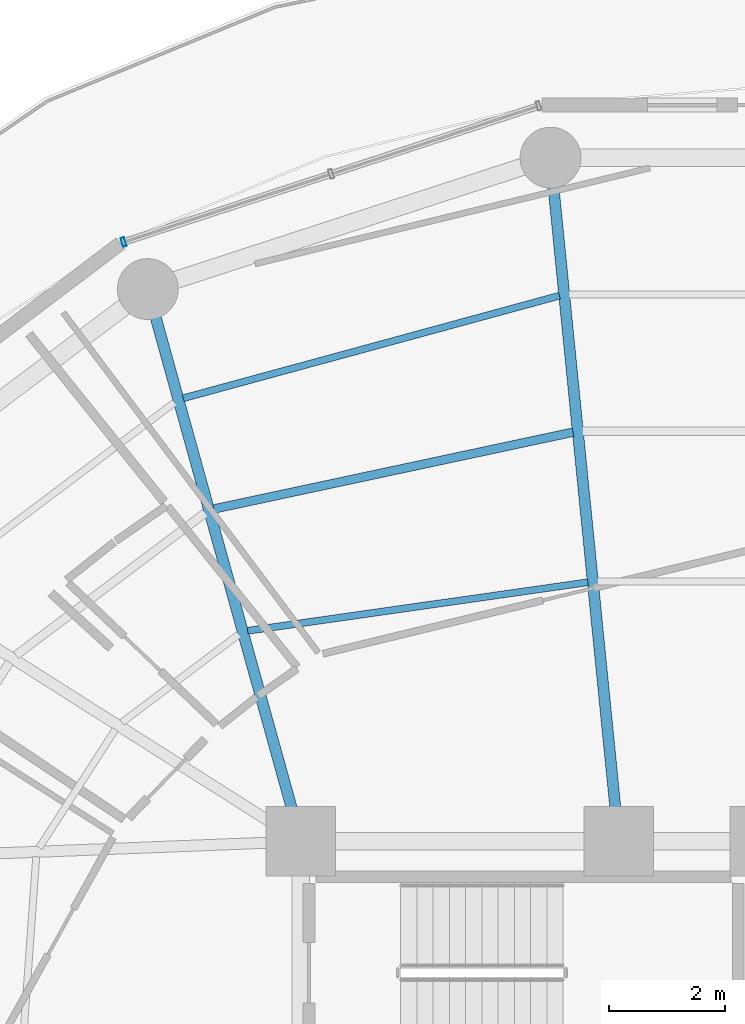
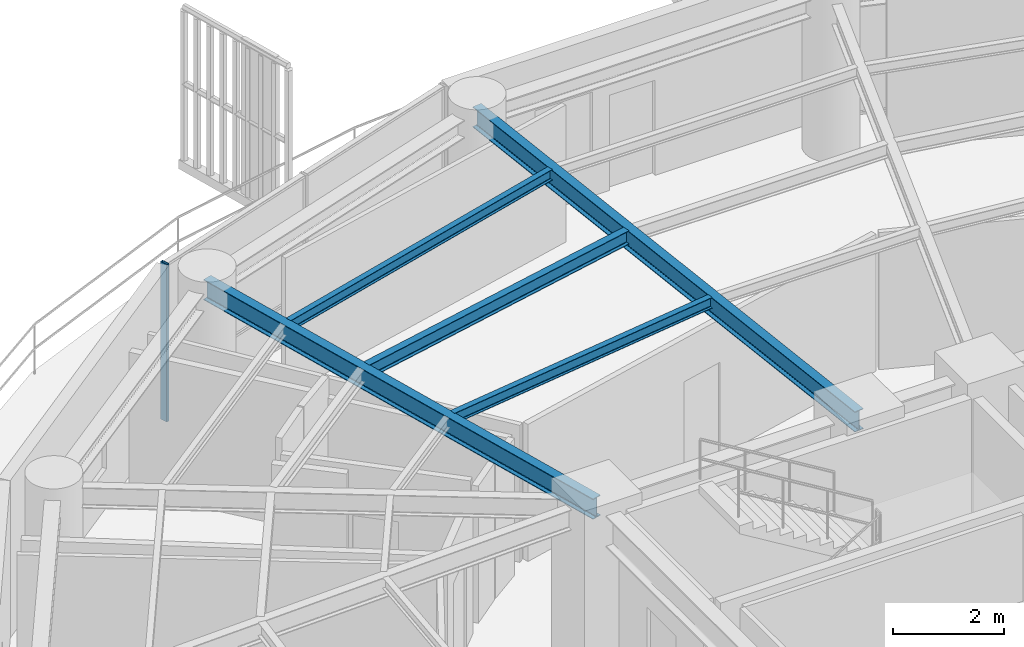
# One storey, part 17 of 30: 5 beams, 1 member, 1 element without a shape of its own.
"""IFC4 building model written with IfcOpenShell, lengths in metres."""

from ifc_helpers import new_model, si_unit, direction, frame, origin, origin_2d, place, context, subcontext, project, spatial, hollow_rectangle, i_section, extrude, material, layer, layer_set, material_profile, profile_set, type_object, element, aggregate, save


model = new_model("IFC4")

# Units and contexts
model_context = context("Model", 3, precision=1e-05, world=origin(), true_north=direction((0.0, 1.0)))
body_context = subcontext(model_context, "Body", "Model", "MODEL_VIEW")
ifc_project = project(units=[si_unit("LENGTHUNIT", "METRE"), si_unit("AREAUNIT", "SQUARE_METRE"), si_unit("VOLUMEUNIT", "CUBIC_METRE"), si_unit("PLANEANGLEUNIT", "RADIAN"), si_unit("MASSUNIT", "GRAM", prefix="KILO")], contexts=[model_context])

# Site, building, storey
site_placement = place(None, origin())
site = spatial("IfcSite", under=ifc_project, at=site_placement, CompositionType="ELEMENT")
building_placement = place(site_placement, origin())
building = spatial("IfcBuilding", under=site, at=building_placement, Name="Kelanora Arch Commons", CompositionType="ELEMENT")
storey_placement = place(building_placement, frame((0.0, 0.0, 208.199951171875)))
storey = spatial("IfcBuildingStorey", under=building, at=storey_placement, Name="L53", CompositionType="ELEMENT", Elevation=208.199951171875)

# Beams
ifc_material_1 = material(Name="Steel S355", Category="steel")
ifc_material_profile_1 = material_profile(ifc_material_1, i_section(OverallWidth=0.14990234375, OverallDepth=0.300048828125, WebThickness=0.007080078125, FlangeThickness=0.0107421875, FilletRadius=0.014892578125, at=origin_2d()), Name="IPE300")
ifc_profile_set_1 = profile_set([ifc_material_profile_1], Name="Steel S355")
beam_type_1 = type_object("IfcBeamType", Name="BM-JST-01", PredefinedType="JOIST", material=ifc_profile_set_1)
beam_1_placement = place(storey_placement, frame((70.69189453125, 72.056396484375, 3.340087890625), z_axis=(-0.977893715981, -0.209102559153, 0.0), x_axis=(0.209102559153, -0.977893715981, 0.0)))
element("IfcBeam", 1, at=beam_1_placement, inside=storey, type_object=beam_type_1, Name="Secondary Chord Joist BJB-10 L53", PredefinedType="JOIST", context=body_context, shape_type="SweptSolid", body=[
    extrude(i_section(OverallWidth=0.14990234375, OverallDepth=0.300048828125, WebThickness=0.007080078125, FlangeThickness=0.0107421875, FilletRadius=0.014892578125, at=origin_2d()), origin(), (0.0, 0.0, 1.0), 6.332763671875),
])
ifc_material_profile_2 = material_profile(ifc_material_1, i_section(OverallWidth=0.1201171875, OverallDepth=0.239990234375, WebThickness=0.006103515625, FlangeThickness=0.009765625, FilletRadius=0.014892578125, at=origin_2d()), Name="IPE240")
ifc_profile_set_2 = profile_set([ifc_material_profile_2], Name="Steel S355")
beam_type_2 = type_object("IfcBeamType", Name="BM-JST-02", PredefinedType="JOIST", material=ifc_profile_set_2)
beam_2_placement = place(storey_placement, frame((70.94921875, 69.46826171875, 3.3701171875), z_axis=(-0.989977480435, -0.141225310164, 0.0), x_axis=(0.141225310164, -0.989977480435, 0.0)))
element("IfcBeam", 2, at=beam_2_placement, inside=storey, type_object=beam_type_2, Name="Secondary Chord Joist BJA-10 L53", PredefinedType="JOIST", context=body_context, shape_type="SweptSolid", body=[
    extrude(i_section(OverallWidth=0.1201171875, OverallDepth=0.239990234375, WebThickness=0.006103515625, FlangeThickness=0.009765625, FilletRadius=0.014892578125, at=origin_2d()), origin(), (0.0, 0.0, 1.0), 5.927734375),
])
beam_3_placement = place(storey_placement, frame((70.457763671875, 74.40966796875, 3.3701171875), z_axis=(-0.964804863594, -0.262966870889, 0.0), x_axis=(0.262966870889, -0.964804863594, 0.0)))
element("IfcBeam", 3, at=beam_3_placement, inside=storey, type_object=beam_type_2, Name="Secondary Chord Joist BJC-10 L53", PredefinedType="JOIST", context=body_context, shape_type="SweptSolid", body=[
    extrude(i_section(OverallWidth=0.1201171875, OverallDepth=0.239990234375, WebThickness=0.006103515625, FlangeThickness=0.009765625, FilletRadius=0.014892578125, at=origin_2d()), origin(), (0.0, 0.0, 1.0), 6.724365234375),
])
ifc_material_profile_3 = material_profile(ifc_material_1, i_section(OverallWidth=0.18994140625, OverallDepth=0.449951171875, WebThickness=0.009521484375, FlangeThickness=0.0146484375, FilletRadius=0.02099609375, at=origin_2d()), Name="IPE450")
ifc_profile_set_3 = profile_set([ifc_material_profile_3], Name="Steel S355")
beam_type_3 = type_object("IfcBeamType", Name="BM-RAD-Z4", PredefinedType="BEAM", material=ifc_profile_set_3)
beam_4_placement = place(storey_placement, frame((71.47998046875, 65.0, 3.26513671875), z_axis=(-0.099193615558, 0.995068151753, 0.0), x_axis=(-0.995068151753, -0.099193615558, 0.0)))
element("IfcBeam", 4, at=beam_4_placement, inside=storey, type_object=beam_type_3, Name="Radial Floor Girder BR-10 L53", PredefinedType="BEAM", context=body_context, shape_type="SweptSolid", body=[
    extrude(i_section(OverallWidth=0.18994140625, OverallDepth=0.449951171875, WebThickness=0.009521484375, FlangeThickness=0.0146484375, FilletRadius=0.02099609375, at=origin_2d()), origin(), (0.0, 0.0, 1.0), 11.848388671875),
])
beam_5_placement = place(storey_placement, frame((66.0, 65.0, 3.26513671875), z_axis=(-0.267120164296, 0.963663228429, 0.0), x_axis=(-0.963663228429, -0.267120164296, 0.0)))
element("IfcBeam", 5, at=beam_5_placement, inside=storey, type_object=beam_type_3, Name="Radial Floor Girder BR-12 L53", PredefinedType="BEAM", context=body_context, shape_type="SweptSolid", body=[
    extrude(i_section(OverallWidth=0.18994140625, OverallDepth=0.449951171875, WebThickness=0.009521484375, FlangeThickness=0.0146484375, FilletRadius=0.02099609375, at=origin_2d()), origin(), (0.0, 0.0, 1.0), 9.8828125),
])

# Curtain wall, member
ifc_material_2 = material(Name="Terracotta ceramic-fritted low-E glass and aluminium", Category="masonry")
ifc_layer = layer(ifc_material_2, 0.175048828125)
ifc_layer_set = layer_set([ifc_layer], Name="Terracotta ceramic-fritted low-E glass and aluminium")
curtain_wall_type = type_object("IfcCurtainWallType", Name="CW-SYS-02", PredefinedType="NOTDEFINED", material=ifc_layer_set)
curtain_wall_placement = place(storey_placement, origin())
curtain_wall = element("IfcCurtainWall", 6, at=curtain_wall_placement, inside=storey, type_object=curtain_wall_type, Name="Unitised Curtain Wall L53-B05", PredefinedType="NOTDEFINED")
ifc_material_3 = material(Name="Powder-coated aluminium terracotta", Category="masonry")
ifc_material_profile_4 = material_profile(ifc_material_3, hollow_rectangle(XDim=0.159912109375, YDim=0.06005859375, WallThickness=0.0048828125, InnerFilletRadius=0.0048828125, OuterFilletRadius=0.010009765625, at=origin_2d()), Name="CWM160x60")
ifc_profile_set_4 = profile_set([ifc_material_profile_4], Name="Powder-coated aluminium terracotta")
member_type = type_object("IfcMemberType", Name="CWM-STD", PredefinedType="MULLION", material=ifc_profile_set_4)
member_placement = place(storey_placement, frame((62.94287109375, 75.33447265625, 0.0), z_axis=(0.0, 0.0, 1.0), x_axis=(0.311582439059, -0.950219124029, 0.0)))
member = element("IfcMember", 7, at=member_placement, type_object=member_type, Name="CW-02 mullion 3", PredefinedType="MULLION", context=body_context, shape_type="SweptSolid", body=[
    extrude(hollow_rectangle(XDim=0.159912109375, YDim=0.06005859375, WallThickness=0.0048828125, InnerFilletRadius=0.0048828125, OuterFilletRadius=0.010009765625, at=origin_2d()), origin(), (0.0, 0.0, 1.0), 3.47509765625),
])
aggregate(curtain_wall, [member])

save(model, "model.ifc")
